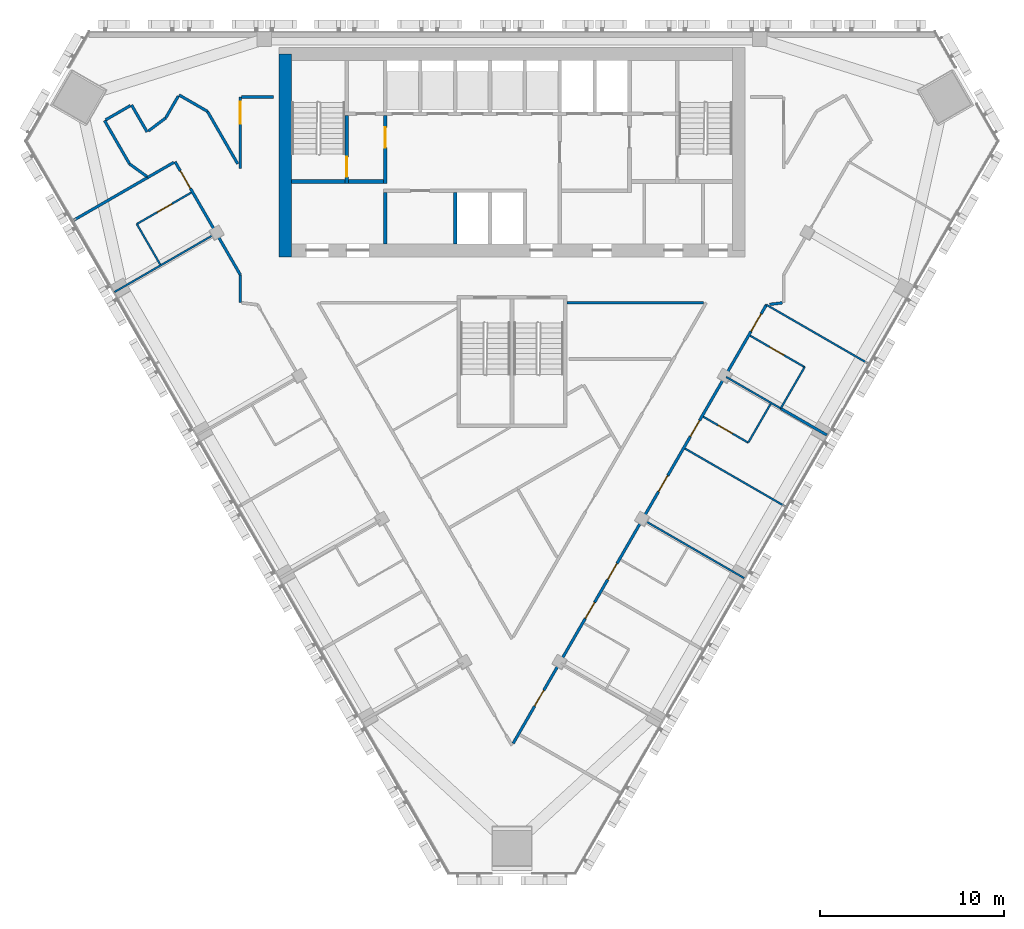
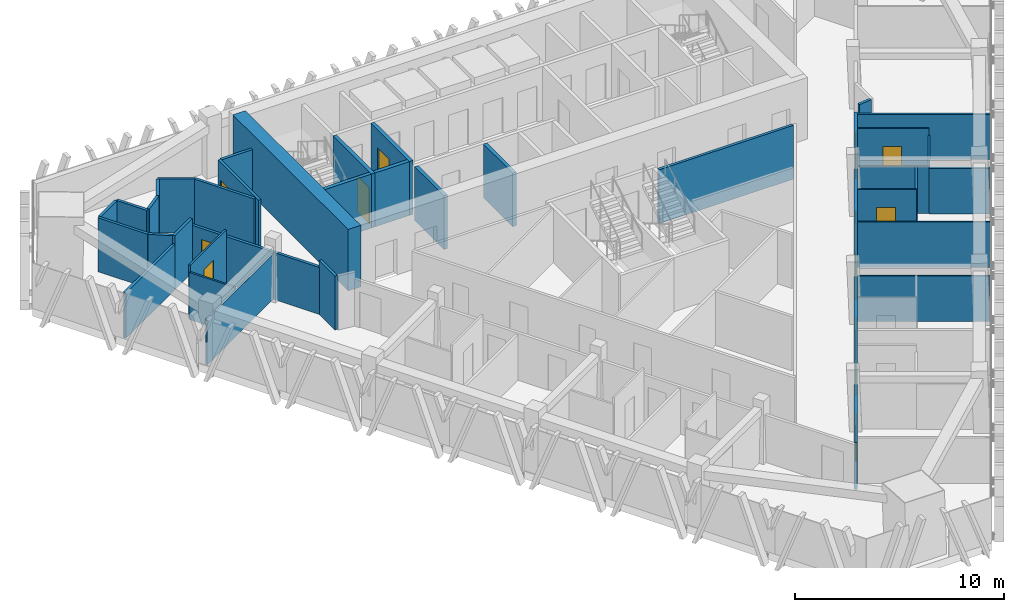
# One storey, part 10 of 15: 36 walls, 13 doors, 13 openings.
"""IFC4 building model written with IfcOpenShell, lengths in metres."""

from ifc_helpers import new_model, si_unit, direction, frame, frame_2d, origin, place, context, subcontext, project, spatial, rectangle, extrude, material, layer, layer_set, type_object, element, fill, save


model = new_model("IFC4")

# Units and contexts
model_context = context("Model", 3, precision=1e-05, world=origin(), true_north=direction((0.0, 1.0)))
body_context = subcontext(model_context, "Body", "Model", "MODEL_VIEW")
ifc_project = project(units=[si_unit("LENGTHUNIT", "METRE"), si_unit("AREAUNIT", "SQUARE_METRE"), si_unit("VOLUMEUNIT", "CUBIC_METRE"), si_unit("PLANEANGLEUNIT", "RADIAN"), si_unit("MASSUNIT", "GRAM", prefix="KILO")], contexts=[model_context])

# Site, building, storey
site_placement = place(None, origin())
site = spatial("IfcSite", under=ifc_project, at=site_placement, CompositionType="ELEMENT")
building_placement = place(site_placement, origin())
building = spatial("IfcBuilding", under=site, at=building_placement, Name="Altiplano Prism Tower", CompositionType="ELEMENT")
storey_placement = place(building_placement, frame((0.0, 0.0, 171.0)))
storey = spatial("IfcBuildingStorey", under=building, at=storey_placement, Name="L44", CompositionType="ELEMENT", Elevation=171.0)

# Walls
ifc_material_1 = material(Name="Concrete C60/75", Category="concrete")
ifc_layer_1 = layer(ifc_material_1, 0.699951171875)
ifc_layer_set_1 = layer_set([ifc_layer_1], Name="Concrete C60/75")
wall_type_1 = type_object("IfcWallType", Name="Core wall 700", PredefinedType="SHEAR", material=ifc_layer_set_1)
wall_1_placement = place(storey_placement, frame((72.64990234375, 103.75, 0.0), z_axis=(0.0, 0.0, 1.0), x_axis=(0.0, -1.0, 0.0)))
element("IfcWall", 1, at=wall_1_placement, inside=storey, type_object=wall_type_1, Name="Core wall W L44", PredefinedType="SHEAR", context=body_context, shape_type="SweptSolid", body=[
    extrude(rectangle(XDim=11.050048828125, YDim=0.699951171875, at=frame_2d((5.52490234375, 0.0))), origin(), (0.0, 0.0, 1.0), 3.60009765625),
])
ifc_material_2 = material(Name="Plasterboard on steel stud", Category="steel")
ifc_layer_2 = layer(ifc_material_2, 0.10009765625)
ifc_layer_set_2 = layer_set([ifc_layer_2], Name="Plasterboard on steel stud")
wall_type_2 = type_object("IfcWallType", Name="Partition 100 unit", PredefinedType="PARTITIONING", material=ifc_layer_set_2)
wall_2_placement = place(storey_placement, frame((65.836181640625, 92.2763671875, 0.0), z_axis=(0.0, 0.0, 1.0), x_axis=(-0.500020783669, 0.866013403995, 0.0)))
element("IfcWall", 2, at=wall_2_placement, inside=storey, type_object=wall_type_2, Name="Partition P02 L44 038", PredefinedType="PARTITIONING", context=body_context, shape_type="SweptSolid", body=[
    extrude(rectangle(XDim=2.55029296875, YDim=0.10009765625, at=frame_2d((1.275146484375, 0.0))), origin(), (0.0, 0.0, 1.0), 2.75),
])

# Wall, opening, door
wall_3_placement = place(storey_placement, frame((64.56103515625, 94.48486328125, 0.0), z_axis=(0.0, 0.0, 1.0), x_axis=(0.866050272892, 0.499956922968, 0.0)))
wall_3 = element("IfcWall", 3, at=wall_3_placement, inside=storey, type_object=wall_type_2, Name="Partition P02 L44 039", PredefinedType="PARTITIONING", context=body_context, shape_type="SweptSolid", body=[
    extrude(rectangle(XDim=3.425048828125, YDim=0.10009765625, at=frame_2d((1.71240234375, 0.0))), origin(), (0.0, 0.0, 1.0), 3.14990234375),
])
opening_1_placement = place(wall_3_placement, frame((1.300048828125, 0.0, 0.0)))
opening_1 = element("IfcOpeningElement", 4, at=opening_1_placement, cuts=wall_3, Name="Opening D1550", PredefinedType="OPENING", context=body_context, shape_type="SweptSolid", body=[
    extrude(rectangle(XDim=0.89990234375, YDim=2.10009765625, at=frame_2d((0.449951171875, 1.050048828125))), frame((0.0, 0.060546875, 0.0), z_axis=(0.0, -1.0, 0.0), x_axis=(1.0, 0.0, 0.0)), (0.0, 0.0, 1.0), 0.12109375),
])
ifc_material_3 = material(Name="Timber", Category="wood")
door_type_1 = type_object("IfcDoorType", Name="Accessible ensuite door 900 x 2100", OperationType="NOTDEFINED", PredefinedType="NOTDEFINED", material=ifc_material_3)
door_1_placement = place(opening_1_placement, origin())
door_1 = element("IfcDoor", 5, at=door_1_placement, inside=storey, type_object=door_type_1, Name="Door D1550", OperationType="SINGLE_SWING_LEFT", OverallHeight=2.10009765625, OverallWidth=0.89990234375, PredefinedType="NOTDEFINED", context=body_context, shape_type="SweptSolid", body=[
    extrude(rectangle(XDim=0.89990234375, YDim=2.10009765625, at=frame_2d((0.449951171875, 1.050048828125))), frame((0.0, 0.02490234375, 0.0), z_axis=(0.0, -1.0, 0.0), x_axis=(1.0, 0.0, 0.0)), (0.0, 0.0, 1.0), 0.050048828125),
])
fill(opening_1, door_1)

# Wall
wall_4_placement = place(storey_placement, frame((99.09423828125, 84.695556640625, 0.0), z_axis=(0.0, 0.0, 1.0), x_axis=(-0.500061746146, -0.865989751695, 0.0)))
element("IfcWall", 6, at=wall_4_placement, inside=storey, type_object=wall_type_2, Name="Partition P02 L44 065", PredefinedType="PARTITIONING", context=body_context, shape_type="SweptSolid", body=[
    extrude(rectangle(XDim=2.449951171875, YDim=0.10009765625, at=frame_2d((1.22509765625, 0.0))), origin(), (0.0, 0.0, 1.0), 2.75),
])

# Wall, opening, door
wall_5_placement = place(storey_placement, frame((97.869140625, 82.573974609375, 0.0), z_axis=(0.0, 0.0, 1.0), x_axis=(-0.866027263711, 0.4999967785, 0.0)))
wall_5 = element("IfcWall", 7, at=wall_5_placement, inside=storey, type_object=wall_type_2, Name="Partition P02 L44 066", PredefinedType="PARTITIONING", context=body_context, shape_type="SweptSolid", body=[
    extrude(rectangle(XDim=2.82470703125, YDim=0.10009765625, at=frame_2d((1.412353515625, 0.0))), origin(), (0.0, 0.0, 1.0), 3.14990234375),
])
opening_2_placement = place(wall_5_placement, frame((1.0, 0.0, 0.0)))
opening_2 = element("IfcOpeningElement", 8, at=opening_2_placement, cuts=wall_5, Name="Opening D1567", PredefinedType="OPENING", context=body_context, shape_type="SweptSolid", body=[
    extrude(rectangle(XDim=0.89990234375, YDim=2.10009765625, at=frame_2d((0.449951171875, 1.050048828125))), frame((0.0, 0.060546875, 0.0), z_axis=(0.0, -1.0, 0.0), x_axis=(1.0, 0.0, 0.0)), (0.0, 0.0, 1.0), 0.12109375),
])
door_type_2 = type_object("IfcDoorType", Name="Ensuite door 900 x 2100", OperationType="NOTDEFINED", PredefinedType="NOTDEFINED", material=ifc_material_3)
door_2_placement = place(opening_2_placement, origin())
door_2 = element("IfcDoor", 9, at=door_2_placement, inside=storey, type_object=door_type_2, Name="Door D1567", OperationType="SINGLE_SWING_LEFT", OverallHeight=2.10009765625, OverallWidth=0.89990234375, PredefinedType="NOTDEFINED", context=body_context, shape_type="SweptSolid", body=[
    extrude(rectangle(XDim=0.89990234375, YDim=2.10009765625, at=frame_2d((0.449951171875, 1.050048828125))), frame((0.0, 0.02490234375, 0.0), z_axis=(0.0, -1.0, 0.0), x_axis=(1.0, 0.0, 0.0)), (0.0, 0.0, 1.0), 0.050048828125),
])
fill(opening_2, door_2)

wall_6_placement = place(storey_placement, frame((97.97265625, 88.403076171875, 0.0), z_axis=(0.0, 0.0, 1.0), x_axis=(0.866050272892, -0.499956922968, 0.0)))
wall_6 = element("IfcWall", 10, at=wall_6_placement, inside=storey, type_object=wall_type_2, Name="Partition P02 L44 069", PredefinedType="PARTITIONING", context=body_context, shape_type="SweptSolid", body=[
    extrude(rectangle(XDim=3.425048828125, YDim=0.10009765625, at=frame_2d((1.71240234375, 0.0))), origin(), (0.0, 0.0, 1.0), 3.14990234375),
])
opening_3_placement = place(wall_6_placement, frame((1.22509765625, 0.0, 0.0)))
opening_3 = element("IfcOpeningElement", 11, at=opening_3_placement, cuts=wall_6, Name="Opening D1569", PredefinedType="OPENING", context=body_context, shape_type="SweptSolid", body=[
    extrude(rectangle(XDim=0.89990234375, YDim=2.10009765625, at=frame_2d((0.449951171875, 1.050048828125))), frame((0.0, 0.060546875, 0.0), z_axis=(0.0, -1.0, 0.0), x_axis=(1.0, 0.0, 0.0)), (0.0, 0.0, 1.0), 0.12109375),
])
door_3_placement = place(opening_3_placement, origin())
door_3 = element("IfcDoor", 12, at=door_3_placement, inside=storey, type_object=door_type_1, Name="Door D1569", OperationType="SINGLE_SWING_RIGHT", OverallHeight=2.10009765625, OverallWidth=0.89990234375, PredefinedType="NOTDEFINED", context=body_context, shape_type="SweptSolid", body=[
    extrude(rectangle(XDim=0.89990234375, YDim=2.10009765625, at=frame_2d((0.449951171875, 1.050048828125))), frame((0.0, 0.02490234375, 0.0), z_axis=(0.0, -1.0, 0.0), x_axis=(1.0, 0.0, 0.0)), (0.0, 0.0, 1.0), 0.050048828125),
])
fill(opening_3, door_3)

# Walls
wall_7_placement = place(storey_placement, frame((100.93896484375, 86.690673828125, 0.0), z_axis=(0.0, 0.0, 1.0), x_axis=(-0.500006934395, -0.866021400173, 0.0)))
element("IfcWall", 13, at=wall_7_placement, inside=storey, type_object=wall_type_2, Name="Partition P02 L44 070", PredefinedType="PARTITIONING", context=body_context, shape_type="SweptSolid", body=[
    extrude(rectangle(XDim=2.60009765625, YDim=0.10009765625, at=frame_2d((1.300048828125, 0.0))), origin(), (0.0, 0.0, 1.0), 2.75),
])
ifc_layer_3 = layer(ifc_material_2, 0.10009765625)
ifc_layer_set_3 = layer_set([ifc_layer_3], Name="Plasterboard on steel stud")
wall_type_3 = type_object("IfcWallType", Name="Partition 100 wet", PredefinedType="PARTITIONING", material=ifc_layer_set_3)
for number, where, z_axis, x_axis, name in (
    (14, (63.349609375, 90.783203125, 0.0), (0.0, 0.0, 1.0), (0.866015887322, 0.500016482634, 0.0), "Partition P03 L44 041"),
    (15, (97.650390625, 75.19482421875, 0.0), (0.0, 0.0, 1.0), (-0.866032601554, 0.49998753289, 0.0), "Partition P03 L44 063"),
):
    element("IfcWall", number, at=place(storey_placement, frame(where, z_axis=z_axis, x_axis=x_axis)), inside=storey, type_object=wall_type_3, Name=name, PredefinedType="PARTITIONING", context=body_context, shape_type="SweptSolid", body=[
        extrude(rectangle(XDim=6.324951171875, YDim=0.10009765625, at=frame_2d((3.16259765625, 0.0))), origin(), (0.0, 0.0, 1.0), 2.64990234375),
    ])
wall_8_placement = place(storey_placement, frame((99.917724609375, 79.081787109375, 0.0), z_axis=(0.0, 0.0, 1.0), x_axis=(-0.866015781869, 0.500016665277, 0.0)))
element("IfcWall", 16, at=wall_8_placement, inside=storey, type_object=wall_type_3, Name="Partition P03 L44 064", PredefinedType="PARTITIONING", context=body_context, shape_type="SweptSolid", body=[
    extrude(rectangle(XDim=6.344970703125, YDim=0.10009765625, at=frame_2d((3.17236328125, 0.0))), origin(), (0.0, 0.0, 1.0), 2.64990234375),
])
wall_9_placement = place(storey_placement, frame((99.638916015625, 84.43896484375, 0.0), z_axis=(0.0, 0.0, 1.0), x_axis=(-0.866032454348, 0.499987787867, 0.0)))
element("IfcWall", 17, at=wall_9_placement, inside=storey, type_object=wall_type_3, Name="Partition P03 L44 068", PredefinedType="PARTITIONING", context=body_context, shape_type="SweptSolid", body=[
    extrude(rectangle(XDim=3.4248046875, YDim=0.10009765625, at=frame_2d((1.71240234375, 0.0))), origin(), (0.0, 0.0, 1.0), 2.75),
])
wall_10_placement = place(storey_placement, frame((104.417724609375, 86.8759765625, 0.0), z_axis=(0.0, 0.0, 1.0), x_axis=(-0.86600889856, 0.500028586798, 0.0)))
element("IfcWall", 18, at=wall_10_placement, inside=storey, type_object=wall_type_3, Name="Partition P03 L44 071", PredefinedType="PARTITIONING", context=body_context, shape_type="SweptSolid", body=[
    extrude(rectangle(XDim=6.419921875, YDim=0.10009765625, at=frame_2d((3.2099609375, 0.0))), origin(), (0.0, 0.0, 1.0), 2.64990234375),
])
ifc_layer_4 = layer(ifc_material_2, 0.14990234375)
ifc_layer_set_4 = layer_set([ifc_layer_4], Name="Plasterboard on steel stud")
wall_type_4 = type_object("IfcWallType", Name="Partition 150 corridor", PredefinedType="PARTITIONING", material=ifc_layer_set_4)
wall_11_placement = place(storey_placement, frame((88.0, 90.199951171875, 0.0), z_axis=(0.0, 0.0, 1.0), x_axis=(1.0, 0.0, 0.0)))
element("IfcWall", 19, at=wall_11_placement, inside=storey, type_object=wall_type_4, Name="Partition P06 L44 003", PredefinedType="PARTITIONING", context=body_context, shape_type="SweptSolid", body=[
    extrude(rectangle(XDim=7.445068359375, YDim=0.14990234375, at=frame_2d((3.72265625, 0.0))), origin(), (0.0, 0.0, 1.0), 3.14990234375),
])
wall_12_placement = place(storey_placement, frame((65.151123046875, 97.019287109375, 0.0), z_axis=(0.0, 0.0, 1.0), x_axis=(0.865980649312, 0.50007750901, 0.0)))
element("IfcWall", 20, at=wall_12_placement, inside=storey, type_object=wall_type_4, Name="Partition P06 L44 005", PredefinedType="PARTITIONING", context=body_context, shape_type="SweptSolid", body=[
    extrude(rectangle(XDim=1.646728515625, YDim=0.14990234375, at=frame_2d((0.8232421875, 0.0))), origin(), (0.0, 0.0, 1.0), 3.14990234375),
])

# Wall, opening, door
wall_13_placement = place(storey_placement, frame((66.642333984375, 97.88037109375, 0.0), z_axis=(0.0, 0.0, 1.0), x_axis=(0.499976887781, -0.866038747219, 0.0)))
wall_13 = element("IfcWall", 21, at=wall_13_placement, inside=storey, type_object=wall_type_4, Name="Partition P06 L44 006", PredefinedType="PARTITIONING", context=body_context, shape_type="SweptSolid", body=[
    extrude(rectangle(XDim=7.115478515625, YDim=0.14990234375, at=frame_2d((3.5576171875, 0.0))), origin(), (0.0, 0.0, 1.0), 2.75),
])
opening_4_placement = place(wall_13_placement, frame((0.571044921875, 0.0, 0.0)))
opening_4 = element("IfcOpeningElement", 22, at=opening_4_placement, cuts=wall_13, Name="Opening D1549", PredefinedType="OPENING", context=body_context, shape_type="SweptSolid", body=[
    extrude(rectangle(XDim=1.10009765625, YDim=2.10009765625, at=frame_2d((0.550048828125, 1.050048828125))), frame((0.0, 0.08544921875, 0.0), z_axis=(0.0, -1.0, 0.0), x_axis=(1.0, 0.0, 0.0)), (0.0, 0.0, 1.0), 0.1708984375),
])
door_type_3 = type_object("IfcDoorType", Name="Accessible bedroom door 1100 x 2100", OperationType="NOTDEFINED", PredefinedType="NOTDEFINED", material=ifc_material_3)
door_4_placement = place(opening_4_placement, origin())
door_4 = element("IfcDoor", 23, at=door_4_placement, inside=storey, type_object=door_type_3, Name="Door D1549", OperationType="SINGLE_SWING_LEFT", OverallHeight=2.10009765625, OverallWidth=1.10009765625, PredefinedType="NOTDEFINED", context=body_context, shape_type="SweptSolid", body=[
    extrude(rectangle(XDim=1.10009765625, YDim=2.10009765625, at=frame_2d((0.550048828125, 1.050048828125))), frame((0.0, 0.02490234375, 0.0), z_axis=(0.0, -1.0, 0.0), x_axis=(1.0, 0.0, 0.0)), (0.0, 0.0, 1.0), 0.050048828125),
])
fill(opening_4, door_4)

# Wall
wall_14_placement = place(storey_placement, frame((70.199951171875, 91.718017578125, 0.0), z_axis=(0.0, 0.0, 1.0), x_axis=(0.0, -1.0, 0.0)))
element("IfcWall", 24, at=wall_14_placement, inside=storey, type_object=wall_type_4, Name="Partition P06 L44 007", PredefinedType="PARTITIONING", context=body_context, shape_type="SweptSolid", body=[
    extrude(rectangle(XDim=1.51806640625, YDim=0.14990234375, at=frame_2d((0.759033203125, 0.0))), origin(), (0.0, 0.0, 1.0), 3.14990234375),
])

# Wall, openings, doors
wall_15_placement = place(storey_placement, frame((85.06494140625, 66.1962890625, 0.0), z_axis=(0.0, 0.0, 1.0), x_axis=(0.50000361162, 0.866023318604, 0.0)))
wall_15 = element("IfcWall", 25, at=wall_15_placement, inside=storey, type_object=wall_type_4, Name="Partition P06 L44 010", PredefinedType="PARTITIONING", context=body_context, shape_type="SweptSolid", body=[
    extrude(rectangle(XDim=27.585693359375, YDim=0.14990234375, at=frame_2d((13.79296875, 0.0))), origin(), (0.0, 0.0, 1.0), 2.75),
])
opening_5_placement = place(wall_15_placement, frame((2.3359375, 0.0, 0.0)))
opening_5 = element("IfcOpeningElement", 26, at=opening_5_placement, cuts=wall_15, Name="Opening D1560", PredefinedType="OPENING", context=body_context, shape_type="SweptSolid", body=[
    extrude(rectangle(XDim=1.0, YDim=2.10009765625, at=frame_2d((0.5, 1.050048828125))), frame((0.0, 0.08544921875, 0.0), z_axis=(0.0, -1.0, 0.0), x_axis=(1.0, 0.0, 0.0)), (0.0, 0.0, 1.0), 0.1708984375),
])
opening_6_placement = place(wall_15_placement, frame((7.864990234375, 0.0, 0.0)))
opening_6 = element("IfcOpeningElement", 27, at=opening_6_placement, cuts=wall_15, Name="Opening D1561", PredefinedType="OPENING", context=body_context, shape_type="SweptSolid", body=[
    extrude(rectangle(XDim=1.0, YDim=2.10009765625, at=frame_2d((0.5, 1.050048828125))), frame((0.0, 0.08544921875, 0.0), z_axis=(0.0, -1.0, 0.0), x_axis=(1.0, 0.0, 0.0)), (0.0, 0.0, 1.0), 0.1708984375),
])
opening_7_placement = place(wall_15_placement, frame((10.305908203125, 0.0, 0.0)))
opening_7 = element("IfcOpeningElement", 28, at=opening_7_placement, cuts=wall_15, Name="Opening D1563", PredefinedType="OPENING", context=body_context, shape_type="SweptSolid", body=[
    extrude(rectangle(XDim=1.0, YDim=2.10009765625, at=frame_2d((0.5, 1.050048828125))), frame((0.0, 0.08544921875, 0.0), z_axis=(0.0, -1.0, 0.0), x_axis=(1.0, 0.0, 0.0)), (0.0, 0.0, 1.0), 0.1708984375),
])
opening_8_placement = place(wall_15_placement, frame((15.8359375, 0.0, 0.0)))
opening_8 = element("IfcOpeningElement", 29, at=opening_8_placement, cuts=wall_15, Name="Opening D1565", PredefinedType="OPENING", context=body_context, shape_type="SweptSolid", body=[
    extrude(rectangle(XDim=1.0, YDim=2.10009765625, at=frame_2d((0.5, 1.050048828125))), frame((0.0, 0.08544921875, 0.0), z_axis=(0.0, -1.0, 0.0), x_axis=(1.0, 0.0, 0.0)), (0.0, 0.0, 1.0), 0.1708984375),
])
opening_9_placement = place(wall_15_placement, frame((19.305908203125, 0.0, 0.0)))
opening_9 = element("IfcOpeningElement", 30, at=opening_9_placement, cuts=wall_15, Name="Opening D1566", PredefinedType="OPENING", context=body_context, shape_type="SweptSolid", body=[
    extrude(rectangle(XDim=1.0, YDim=2.10009765625, at=frame_2d((0.5, 1.050048828125))), frame((0.0, 0.08544921875, 0.0), z_axis=(0.0, -1.0, 0.0), x_axis=(1.0, 0.0, 0.0)), (0.0, 0.0, 1.0), 0.1708984375),
])
opening_10_placement = place(wall_15_placement, frame((25.9150390625, 0.0, 0.0)))
opening_10 = element("IfcOpeningElement", 31, at=opening_10_placement, cuts=wall_15, Name="Opening D1568", PredefinedType="OPENING", context=body_context, shape_type="SweptSolid", body=[
    extrude(rectangle(XDim=1.10009765625, YDim=2.10009765625, at=frame_2d((0.550048828125, 1.050048828125))), frame((0.0, 0.08544921875, 0.0), z_axis=(0.0, -1.0, 0.0), x_axis=(1.0, 0.0, 0.0)), (0.0, 0.0, 1.0), 0.1708984375),
])
door_5_placement = place(opening_10_placement, origin())
door_5 = element("IfcDoor", 32, at=door_5_placement, inside=storey, type_object=door_type_3, Name="Door D1568", OperationType="SINGLE_SWING_RIGHT", OverallHeight=2.10009765625, OverallWidth=1.10009765625, PredefinedType="NOTDEFINED", context=body_context, shape_type="SweptSolid", body=[
    extrude(rectangle(XDim=1.10009765625, YDim=2.10009765625, at=frame_2d((0.550048828125, 1.050048828125))), frame((0.0, 0.02490234375, 0.0), z_axis=(0.0, -1.0, 0.0), x_axis=(1.0, 0.0, 0.0)), (0.0, 0.0, 1.0), 0.050048828125),
])
fill(opening_10, door_5)
door_type_4 = type_object("IfcDoorType", Name="Bedroom entrance door 1000 x 2100", OperationType="NOTDEFINED", PredefinedType="NOTDEFINED", material=ifc_material_3)
door_6_placement = place(opening_6_placement, origin())
door_6 = element("IfcDoor", 33, at=door_6_placement, inside=storey, type_object=door_type_4, Name="Door D1561", OperationType="SINGLE_SWING_RIGHT", OverallHeight=2.10009765625, OverallWidth=1.0, PredefinedType="NOTDEFINED", context=body_context, shape_type="SweptSolid", body=[
    extrude(rectangle(XDim=1.0, YDim=2.10009765625, at=frame_2d((0.5, 1.050048828125))), frame((0.0, 0.02490234375, 0.0), z_axis=(0.0, -1.0, 0.0), x_axis=(1.0, 0.0, 0.0)), (0.0, 0.0, 1.0), 0.050048828125),
])
fill(opening_6, door_6)
door_7_placement = place(opening_7_placement, origin())
door_7 = element("IfcDoor", 34, at=door_7_placement, inside=storey, type_object=door_type_4, Name="Door D1563", OperationType="SINGLE_SWING_LEFT", OverallHeight=2.10009765625, OverallWidth=1.0, PredefinedType="NOTDEFINED", context=body_context, shape_type="SweptSolid", body=[
    extrude(rectangle(XDim=1.0, YDim=2.10009765625, at=frame_2d((0.5, 1.050048828125))), frame((0.0, 0.02490234375, 0.0), z_axis=(0.0, -1.0, 0.0), x_axis=(1.0, 0.0, 0.0)), (0.0, 0.0, 1.0), 0.050048828125),
])
fill(opening_7, door_7)
door_8_placement = place(opening_9_placement, origin())
door_8 = element("IfcDoor", 35, at=door_8_placement, inside=storey, type_object=door_type_4, Name="Door D1566", OperationType="SINGLE_SWING_RIGHT", OverallHeight=2.10009765625, OverallWidth=1.0, PredefinedType="NOTDEFINED", context=body_context, shape_type="SweptSolid", body=[
    extrude(rectangle(XDim=1.0, YDim=2.10009765625, at=frame_2d((0.5, 1.050048828125))), frame((0.0, 0.02490234375, 0.0), z_axis=(0.0, -1.0, 0.0), x_axis=(1.0, 0.0, 0.0)), (0.0, 0.0, 1.0), 0.050048828125),
])
fill(opening_9, door_8)
door_type_5 = type_object("IfcDoorType", Name="Room door 1000 x 2100", OperationType="NOTDEFINED", PredefinedType="NOTDEFINED", material=ifc_material_3)
door_9_placement = place(opening_5_placement, origin())
door_9 = element("IfcDoor", 36, at=door_9_placement, inside=storey, type_object=door_type_5, Name="Door D1560", OperationType="SINGLE_SWING_RIGHT", OverallHeight=2.10009765625, OverallWidth=1.0, PredefinedType="NOTDEFINED", context=body_context, shape_type="SweptSolid", body=[
    extrude(rectangle(XDim=1.0, YDim=2.10009765625, at=frame_2d((0.5, 1.050048828125))), frame((0.0, 0.02490234375, 0.0), z_axis=(0.0, -1.0, 0.0), x_axis=(1.0, 0.0, 0.0)), (0.0, 0.0, 1.0), 0.050048828125),
])
fill(opening_5, door_9)
door_10_placement = place(opening_8_placement, origin())
door_10 = element("IfcDoor", 37, at=door_10_placement, inside=storey, type_object=door_type_5, Name="Door D1565", OperationType="SINGLE_SWING_LEFT", OverallHeight=2.10009765625, OverallWidth=1.0, PredefinedType="NOTDEFINED", context=body_context, shape_type="SweptSolid", body=[
    extrude(rectangle(XDim=1.0, YDim=2.10009765625, at=frame_2d((0.5, 1.050048828125))), frame((0.0, 0.02490234375, 0.0), z_axis=(0.0, -1.0, 0.0), x_axis=(1.0, 0.0, 0.0)), (0.0, 0.0, 1.0), 0.050048828125),
])
fill(opening_8, door_10)

# Walls
wall_16_placement = place(storey_placement, frame((99.03955078125, 90.108154296875, 0.0), z_axis=(0.0, 0.0, 1.0), x_axis=(0.992769522136, 0.120036144213, 0.0)))
element("IfcWall", 38, at=wall_16_placement, inside=storey, type_object=wall_type_4, Name="Partition P06 L44 011", PredefinedType="PARTITIONING", context=body_context, shape_type="SweptSolid", body=[
    extrude(rectangle(XDim=0.69140625, YDim=0.14990234375, at=frame_2d((0.345703125, 0.0))), origin(), (0.0, 0.0, 1.0), 3.14990234375),
])
wall_17_placement = place(storey_placement, frame((72.0, 101.39990234375, 0.0), z_axis=(0.0, 0.0, 1.0), x_axis=(-1.0, 0.0, 0.0)))
element("IfcWall", 39, at=wall_17_placement, inside=storey, type_object=wall_type_4, Name="Partition P06 L44 020", PredefinedType="PARTITIONING", context=body_context, shape_type="SweptSolid", body=[
    extrude(rectangle(XDim=1.72509765625, YDim=0.14990234375, at=frame_2d((0.862548828125, 0.0))), origin(), (0.0, 0.0, 1.0), 3.14990234375),
])

# Wall, opening, door
wall_18_placement = place(storey_placement, frame((70.199951171875, 101.39990234375, 0.0), z_axis=(0.0, 0.0, 1.0), x_axis=(0.0, -1.0, 0.0)))
wall_18 = element("IfcWall", 40, at=wall_18_placement, inside=storey, type_object=wall_type_4, Name="Partition P06 L44 021", PredefinedType="PARTITIONING", context=body_context, shape_type="SweptSolid", body=[
    extrude(rectangle(XDim=3.8818359375, YDim=0.14990234375, at=frame_2d((1.94091796875, 0.0))), origin(), (0.0, 0.0, 1.0), 3.14990234375),
])
opening_11_placement = place(wall_18_placement, frame((0.2529296875, 0.0, 0.0)))
opening_11 = element("IfcOpeningElement", 41, at=opening_11_placement, cuts=wall_18, Name="Opening D1572", PredefinedType="OPENING", context=body_context, shape_type="SweptSolid", body=[
    extrude(rectangle(XDim=1.199951171875, YDim=2.10009765625, at=frame_2d((0.60009765625, 1.050048828125))), frame((0.0, 0.08544921875, 0.0), z_axis=(0.0, -1.0, 0.0), x_axis=(1.0, 0.0, 0.0)), (0.0, 0.0, 1.0), 0.1708984375),
])
door_type_6 = type_object("IfcDoorType", Name="Shared room door 1200 x 2100", OperationType="NOTDEFINED", PredefinedType="NOTDEFINED", material=ifc_material_3)
door_11_placement = place(opening_11_placement, origin())
door_11 = element("IfcDoor", 42, at=door_11_placement, inside=storey, type_object=door_type_6, Name="Door D1572", OperationType="SINGLE_SWING_LEFT", OverallHeight=2.10009765625, OverallWidth=1.199951171875, PredefinedType="NOTDEFINED", context=body_context, shape_type="SweptSolid", body=[
    extrude(rectangle(XDim=1.199951171875, YDim=2.10009765625, at=frame_2d((0.60009765625, 1.050048828125))), frame((0.0, 0.02490234375, 0.0), z_axis=(0.0, -1.0, 0.0), x_axis=(1.0, 0.0, 0.0)), (0.0, 0.0, 1.0), 0.050048828125),
])
fill(opening_11, door_11)

# Walls
wall_19_placement = place(storey_placement, frame((70.06005859375, 97.760498046875, 0.0), z_axis=(0.0, 0.0, 1.0), x_axis=(-0.499976073514, 0.866039217307, 0.0)))
element("IfcWall", 43, at=wall_19_placement, inside=storey, type_object=wall_type_4, Name="Partition P06 L44 022", PredefinedType="PARTITIONING", context=body_context, shape_type="SweptSolid", body=[
    extrude(rectangle(XDim=3.305419921875, YDim=0.14990234375, at=frame_2d((1.65283203125, 0.0))), origin(), (0.0, 0.0, 1.0), 3.14990234375),
])
wall_20_placement = place(storey_placement, frame((68.407470703125, 100.623046875, 0.0), z_axis=(0.0, 0.0, 1.0), x_axis=(-0.866051527458, 0.499954749741, 0.0)))
element("IfcWall", 44, at=wall_20_placement, inside=storey, type_object=wall_type_4, Name="Partition P06 L44 023", PredefinedType="PARTITIONING", context=body_context, shape_type="SweptSolid", body=[
    extrude(rectangle(XDim=1.789306640625, YDim=0.14990234375, at=frame_2d((0.89453125, 0.0))), origin(), (0.0, 0.0, 1.0), 3.14990234375),
])
wall_21_placement = place(storey_placement, frame((66.8203125, 101.45263671875, 0.0), z_axis=(0.0, 0.0, 1.0), x_axis=(-0.499958106649, -0.866049589571, 0.0)))
element("IfcWall", 45, at=wall_21_placement, inside=storey, type_object=wall_type_4, Name="Partition P06 L44 024", PredefinedType="PARTITIONING", context=body_context, shape_type="SweptSolid", body=[
    extrude(rectangle(XDim=1.375, YDim=0.14990234375, at=frame_2d((0.6875, 0.0))), origin(), (0.0, 0.0, 1.0), 3.14990234375),
])
wall_22_placement = place(storey_placement, frame((66.1328125, 100.26171875, 0.0), z_axis=(0.0, 0.0, 1.0), x_axis=(-0.798408652498, -0.602115955291, 0.0)))
element("IfcWall", 46, at=wall_22_placement, inside=storey, type_object=wall_type_4, Name="Partition P06 L44 025", PredefinedType="PARTITIONING", context=body_context, shape_type="SweptSolid", body=[
    extrude(rectangle(XDim=1.180419921875, YDim=0.14990234375, at=frame_2d((0.59033203125, 0.0))), origin(), (0.0, 0.0, 1.0), 3.14990234375),
])
wall_23_placement = place(storey_placement, frame((65.122802734375, 99.5, 0.0), z_axis=(0.0, 0.0, 1.0), x_axis=(-0.500062241894, 0.865989465428, 0.0)))
element("IfcWall", 47, at=wall_23_placement, inside=storey, type_object=wall_type_4, Name="Partition P06 L44 026", PredefinedType="PARTITIONING", context=body_context, shape_type="SweptSolid", body=[
    extrude(rectangle(XDim=1.699951171875, YDim=0.14990234375, at=frame_2d((0.85009765625, 0.0))), origin(), (0.0, 0.0, 1.0), 3.14990234375),
])
wall_24_placement = place(storey_placement, frame((64.207763671875, 100.934814453125, 0.0), z_axis=(0.0, 0.0, 1.0), x_axis=(-0.865975732936, -0.500086022567, 0.0)))
element("IfcWall", 48, at=wall_24_placement, inside=storey, type_object=wall_type_4, Name="Partition P06 L44 027", PredefinedType="PARTITIONING", context=body_context, shape_type="SweptSolid", body=[
    extrude(rectangle(XDim=1.550048828125, YDim=0.14990234375, at=frame_2d((0.77490234375, 0.0))), origin(), (0.0, 0.0, 1.0), 3.14990234375),
])
wall_25_placement = place(storey_placement, frame((62.800537109375, 100.122314453125, 0.0), z_axis=(0.0, 0.0, 1.0), x_axis=(0.49993436518, -0.866063294749, 0.0)))
element("IfcWall", 49, at=wall_25_placement, inside=storey, type_object=wall_type_4, Name="Partition P06 L44 028", PredefinedType="PARTITIONING", context=body_context, shape_type="SweptSolid", body=[
    extrude(rectangle(XDim=2.725830078125, YDim=0.14990234375, at=frame_2d((1.36279296875, 0.0))), origin(), (0.0, 0.0, 1.0), 3.14990234375),
])
wall_26_placement = place(storey_placement, frame((64.163330078125, 97.761474609375, 0.0), z_axis=(0.0, 0.0, 1.0), x_axis=(0.809170199174, -0.587574326165, 0.0)))
element("IfcWall", 50, at=wall_26_placement, inside=storey, type_object=wall_type_4, Name="Partition P06 L44 029", PredefinedType="PARTITIONING", context=body_context, shape_type="SweptSolid", body=[
    extrude(rectangle(XDim=1.166748046875, YDim=0.14990234375, at=frame_2d((0.58349609375, 0.0))), origin(), (0.0, 0.0, 1.0), 3.14990234375),
])
ifc_layer_5 = layer(ifc_material_2, 0.14990234375)
ifc_layer_set_5 = layer_set([ifc_layer_5], Name="Plasterboard on steel stud")
wall_type_5 = type_object("IfcWallType", Name="Partition 150 party", PredefinedType="PARTITIONING", material=ifc_layer_set_5)
wall_27_placement = place(storey_placement, frame((65.169921875, 97.0302734375, 0.0), z_axis=(0.0, 0.0, 1.0), x_axis=(-0.866015897305, -0.500016465344, 0.0)))
element("IfcWall", 51, at=wall_27_placement, inside=storey, type_object=wall_type_5, Name="Partition P01 L44 040", PredefinedType="PARTITIONING", context=body_context, shape_type="SweptSolid", body=[
    extrude(rectangle(XDim=4.719970703125, YDim=0.14990234375, at=frame_2d((2.35986328125, 0.0))), origin(), (0.0, 0.0, 1.0), 2.64990234375),
])
wall_28_placement = place(storey_placement, frame((102.150390625, 82.989013671875, 0.0), z_axis=(0.0, 0.0, 1.0), x_axis=(-0.866032775405, 0.499987231761, 0.0)))
element("IfcWall", 52, at=wall_28_placement, inside=storey, type_object=wall_type_5, Name="Partition P01 L44 067", PredefinedType="PARTITIONING", context=body_context, shape_type="SweptSolid", body=[
    extrude(rectangle(XDim=2.89990234375, YDim=0.14990234375, at=frame_2d((1.449951171875, 0.0))), origin(), (0.0, 0.0, 1.0), 2.64990234375),
])
ifc_layer_6 = layer(ifc_material_1, 0.199951171875)
ifc_layer_set_6 = layer_set([ifc_layer_6], Name="Concrete C60/75")
wall_type_6 = type_object("IfcWallType", Name="Shaft wall 200", PredefinedType="SOLIDWALL", material=ifc_layer_set_6)
wall_29_placement = place(storey_placement, frame((81.89990234375, 93.39990234375, 0.0), z_axis=(0.0, 0.0, 1.0), x_axis=(0.0, 1.0, 0.0)))
element("IfcWall", 53, at=wall_29_placement, inside=storey, type_object=wall_type_6, Name="Shaft wall L44", PredefinedType="SOLIDWALL", context=body_context, shape_type="SweptSolid", body=[
    extrude(rectangle(XDim=2.800048828125, YDim=0.199951171875, at=frame_2d((1.39990234375, 0.0))), origin(), (0.0, 0.0, 1.0), 3.14990234375),
])
ifc_layer_7 = layer(ifc_material_1, 0.199951171875)
ifc_layer_set_7 = layer_set([ifc_layer_7], Name="Concrete C60/75")
wall_type_7 = type_object("IfcWallType", Name="Stair wall 200", PredefinedType="SOLIDWALL", material=ifc_layer_set_7)
wall_30_placement = place(storey_placement, frame((73.0, 96.800048828125, 0.0), z_axis=(0.0, 0.0, 1.0), x_axis=(1.0, 0.0, 0.0)))
element("IfcWall", 54, at=wall_30_placement, inside=storey, type_object=wall_type_7, Name="Stair wall L44", PredefinedType="SOLIDWALL", context=body_context, shape_type="SweptSolid", body=[
    extrude(rectangle(XDim=2.89990234375, YDim=0.199951171875, at=frame_2d((1.449951171875, 0.0))), origin(), (0.0, 0.0, 1.0), 3.14990234375),
])

# Wall, opening, door
wall_31_placement = place(storey_placement, frame((76.0, 96.699951171875, 0.0), z_axis=(0.0, 0.0, 1.0), x_axis=(0.0, 1.0, 0.0)))
wall_31 = element("IfcWall", 55, at=wall_31_placement, inside=storey, type_object=wall_type_7, Name="Stair wall L44", PredefinedType="SOLIDWALL", context=body_context, shape_type="SweptSolid", body=[
    extrude(rectangle(XDim=3.699951171875, YDim=0.199951171875, at=frame_2d((1.85009765625, 0.0))), origin(), (0.0, 0.0, 1.0), 3.14990234375),
])
opening_12_placement = place(wall_31_placement, frame((0.35009765625, 0.0, 0.0)))
opening_12 = element("IfcOpeningElement", 56, at=opening_12_placement, cuts=wall_31, Name="Opening D3182", PredefinedType="OPENING", context=body_context, shape_type="SweptSolid", body=[
    extrude(rectangle(XDim=1.10009765625, YDim=2.10009765625, at=frame_2d((0.550048828125, 1.050048828125))), frame((0.0, 0.1103515625, 0.0), z_axis=(0.0, -1.0, 0.0), x_axis=(1.0, 0.0, 0.0)), (0.0, 0.0, 1.0), 0.220947265625),
])
ifc_material_4 = material(Name="Fire-rated steel door", Category="steel")
door_type_7 = type_object("IfcDoorType", Name="Stair fire door 1100 x 2100", OperationType="NOTDEFINED", PredefinedType="NOTDEFINED", material=ifc_material_4)
door_12_placement = place(opening_12_placement, origin())
door_12 = element("IfcDoor", 57, at=door_12_placement, inside=storey, type_object=door_type_7, Name="Stair fire door D3182", OperationType="SINGLE_SWING_RIGHT", OverallHeight=2.10009765625, OverallWidth=1.10009765625, PredefinedType="NOTDEFINED", context=body_context, shape_type="SweptSolid", body=[
    extrude(rectangle(XDim=1.10009765625, YDim=2.10009765625, at=frame_2d((0.550048828125, 1.050048828125))), frame((0.0, 0.02490234375, 0.0), z_axis=(0.0, -1.0, 0.0), x_axis=(1.0, 0.0, 0.0)), (0.0, 0.0, 1.0), 0.050048828125),
])
fill(opening_12, door_12)

# Walls
ifc_layer_8 = layer(ifc_material_1, 0.199951171875)
ifc_layer_set_8 = layer_set([ifc_layer_8], Name="Concrete C60/75")
wall_type_8 = type_object("IfcWallType", Name="Vestibule wall 200", PredefinedType="PARTITIONING", material=ifc_layer_set_8)
wall_32_placement = place(storey_placement, frame((78.10009765625, 93.39990234375, 0.0), z_axis=(0.0, 0.0, 1.0), x_axis=(0.0, 1.0, 0.0)))
element("IfcWall", 58, at=wall_32_placement, inside=storey, type_object=wall_type_8, Name="Vestibule wall L44", PredefinedType="PARTITIONING", context=body_context, shape_type="SweptSolid", body=[
    extrude(rectangle(XDim=2.800048828125, YDim=0.199951171875, at=frame_2d((1.39990234375, 0.0))), origin(), (0.0, 0.0, 1.0), 3.14990234375),
])
wall_33_placement = place(storey_placement, frame((76.10009765625, 96.800048828125, 0.0), z_axis=(0.0, 0.0, 1.0), x_axis=(1.0, 0.0, 0.0)))
element("IfcWall", 59, at=wall_33_placement, inside=storey, type_object=wall_type_8, Name="Vestibule wall L44", PredefinedType="PARTITIONING", context=body_context, shape_type="SweptSolid", body=[
    extrude(rectangle(XDim=1.89990234375, YDim=0.199951171875, at=frame_2d((0.949951171875, 0.0))), origin(), (0.0, 0.0, 1.0), 3.14990234375),
])

# Wall, opening, door
wall_34_placement = place(storey_placement, frame((78.10009765625, 96.699951171875, 0.0), z_axis=(0.0, 0.0, 1.0), x_axis=(0.0, 1.0, 0.0)))
wall_34 = element("IfcWall", 60, at=wall_34_placement, inside=storey, type_object=wall_type_8, Name="Vestibule wall L44", PredefinedType="PARTITIONING", context=body_context, shape_type="SweptSolid", body=[
    extrude(rectangle(XDim=3.699951171875, YDim=0.199951171875, at=frame_2d((1.85009765625, 0.0))), origin(), (0.0, 0.0, 1.0), 3.14990234375),
])
opening_13_placement = place(wall_34_placement, frame((1.949951171875, 0.0, 0.0)))
opening_13 = element("IfcOpeningElement", 61, at=opening_13_placement, cuts=wall_34, Name="Opening D3184", PredefinedType="OPENING", context=body_context, shape_type="SweptSolid", body=[
    extrude(rectangle(XDim=1.10009765625, YDim=2.10009765625, at=frame_2d((0.550048828125, 1.050048828125))), frame((0.0, 0.1103515625, 0.0), z_axis=(0.0, -1.0, 0.0), x_axis=(1.0, 0.0, 0.0)), (0.0, 0.0, 1.0), 0.220947265625),
])
door_type_8 = type_object("IfcDoorType", Name="Vestibule fire door 1100 x 2100", OperationType="NOTDEFINED", PredefinedType="NOTDEFINED", material=ifc_material_4)
door_13_placement = place(opening_13_placement, origin())
door_13 = element("IfcDoor", 62, at=door_13_placement, inside=storey, type_object=door_type_8, Name="Vestibule fire door D3184", OperationType="SINGLE_SWING_LEFT", OverallHeight=2.10009765625, OverallWidth=1.10009765625, PredefinedType="NOTDEFINED", context=body_context, shape_type="SweptSolid", body=[
    extrude(rectangle(XDim=1.10009765625, YDim=2.10009765625, at=frame_2d((0.550048828125, 1.050048828125))), frame((0.0, 0.02490234375, 0.0), z_axis=(0.0, -1.0, 0.0), x_axis=(1.0, 0.0, 0.0)), (0.0, 0.0, 1.0), 0.050048828125),
])
fill(opening_13, door_13)

save(model, "model.ifc")
